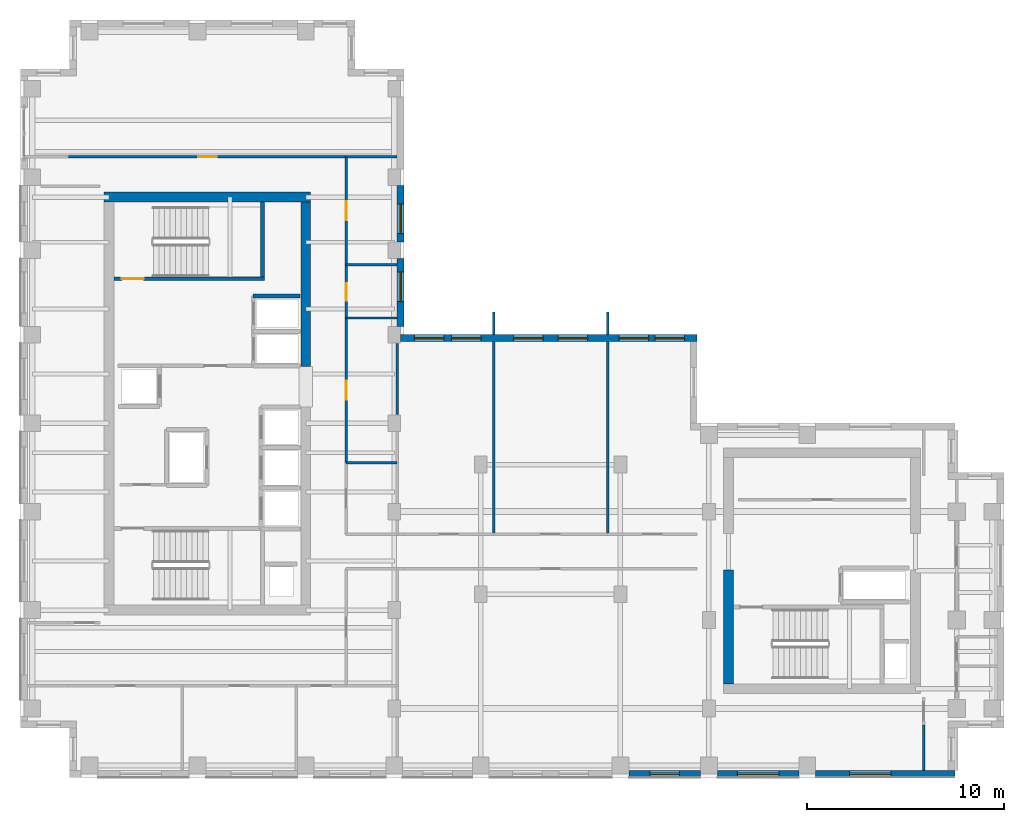
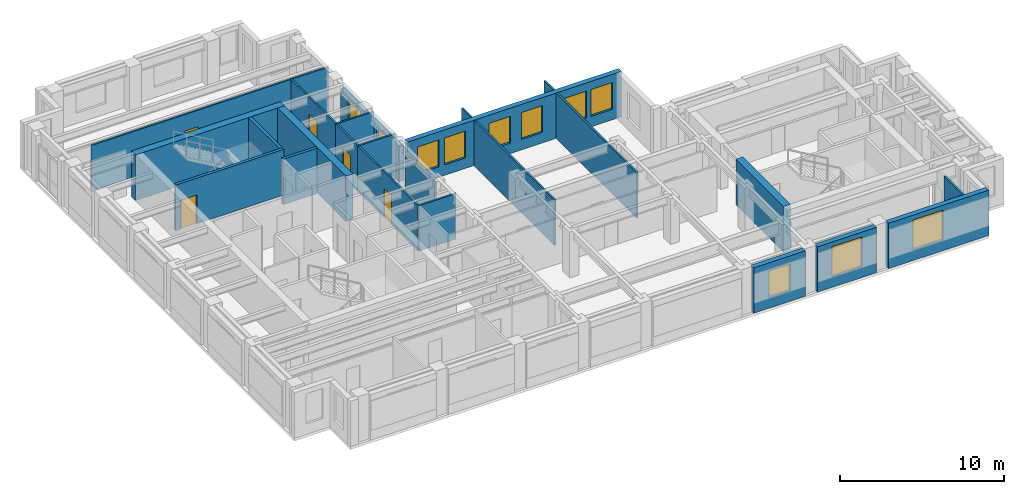
# One storey, part 8 of 12: 26 walls, 11 windows, 5 doors, 16 openings.
"""IFC4 building model written with IfcOpenShell, lengths in metres."""

from ifc_helpers import new_model, si_unit, direction, frame, frame_2d, origin, place, context, subcontext, project, spatial, rectangle, extrude, source, transform, mapped, material, layer, layer_set, type_object, element, fill, save


model = new_model("IFC4")

# Units and contexts
model_context = context("Model", 3, precision=1e-05, world=origin(), true_north=direction((0.0, 1.0)))
body_context = subcontext(model_context, "Body", "Model", "MODEL_VIEW")
ifc_project = project(units=[si_unit("LENGTHUNIT", "METRE"), si_unit("AREAUNIT", "SQUARE_METRE"), si_unit("VOLUMEUNIT", "CUBIC_METRE"), si_unit("PLANEANGLEUNIT", "RADIAN"), si_unit("MASSUNIT", "GRAM", prefix="KILO")], contexts=[model_context])

# Site, building, storey
site_placement = place(None, origin())
site = spatial("IfcSite", under=ifc_project, at=site_placement, CompositionType="ELEMENT")
building_placement = place(site_placement, origin())
building = spatial("IfcBuilding", under=site, at=building_placement, Name="Kharzan Plaza Tower", CompositionType="ELEMENT")
storey_placement = place(building_placement, frame((0.0, 0.0, 255.60009765625)))
storey = spatial("IfcBuildingStorey", under=building, at=storey_placement, Name="L69", CompositionType="ELEMENT", Elevation=255.60009765625)

# Wall, openings, windows
ifc_material_1 = material(Name="Concrete C40/50", Category="concrete")
ifc_layer_1 = layer(ifc_material_1, 0.35009765625)
ifc_layer_set_1 = layer_set([ifc_layer_1], Name="Concrete C40/50")
wall_type_1 = type_object("IfcWallType", Name="WL-EXT-MAS-Z4", PredefinedType="SOLIDWALL", material=ifc_layer_set_1)
wall_1_placement = place(storey_placement, frame((34.39990234375, 22.324951171875, 0.0), z_axis=(0.0, 0.0, 1.0), x_axis=(-1.0, 0.0, 0.0)))
wall_1 = element("IfcWall", 1, at=wall_1_placement, inside=storey, type_object=wall_type_1, Name="L69 Masonry-Frame Exterior Wall 01", PredefinedType="SOLIDWALL", context=body_context, shape_type="SweptSolid", body=[
    extrude(rectangle(XDim=15.076904296875, YDim=0.35009765625, at=frame_2d((7.53857421875, 0.0))), origin(), (0.0, 0.0, 1.0), 3.385009765625),
])
opening_1_placement = place(wall_1_placement, frame((0.646728515625, 0.0, 0.780029296875)))
opening_1 = element("IfcOpeningElement", 2, at=opening_1_placement, cuts=wall_1, Name="Opening W5", PredefinedType="OPENING", context=body_context, shape_type="SweptSolid", body=[
    extrude(rectangle(XDim=1.5, YDim=2.0, at=frame_2d((0.75, 1.0))), frame((0.0, 0.18505859375, 0.0), z_axis=(0.0, -1.0, 0.0), x_axis=(1.0, 0.0, 0.0)), (0.0, 0.0, 1.0), 0.3701171875),
])
opening_2_placement = place(wall_1_placement, frame((2.473388671875, 0.0, 0.780029296875)))
opening_2 = element("IfcOpeningElement", 3, at=opening_2_placement, cuts=wall_1, Name="Opening W5", PredefinedType="OPENING", context=body_context, shape_type="SweptSolid", body=[
    extrude(rectangle(XDim=1.5, YDim=2.0, at=frame_2d((0.75, 1.0))), frame((0.0, 0.18505859375, 0.0), z_axis=(0.0, -1.0, 0.0), x_axis=(1.0, 0.0, 0.0)), (0.0, 0.0, 1.0), 0.3701171875),
])
opening_3_placement = place(wall_1_placement, frame((5.566650390625, 0.0, 0.780029296875)))
opening_3 = element("IfcOpeningElement", 4, at=opening_3_placement, cuts=wall_1, Name="Opening W5", PredefinedType="OPENING", context=body_context, shape_type="SweptSolid", body=[
    extrude(rectangle(XDim=1.5, YDim=2.0, at=frame_2d((0.75, 1.0))), frame((0.0, 0.18505859375, 0.0), z_axis=(0.0, -1.0, 0.0), x_axis=(1.0, 0.0, 0.0)), (0.0, 0.0, 1.0), 0.3701171875),
])
opening_4_placement = place(wall_1_placement, frame((7.833251953125, 0.0, 0.780029296875)))
opening_4 = element("IfcOpeningElement", 5, at=opening_4_placement, cuts=wall_1, Name="Opening W5", PredefinedType="OPENING", context=body_context, shape_type="SweptSolid", body=[
    extrude(rectangle(XDim=1.5, YDim=2.0, at=frame_2d((0.75, 1.0))), frame((0.0, 0.18505859375, 0.0), z_axis=(0.0, -1.0, 0.0), x_axis=(1.0, 0.0, 0.0)), (0.0, 0.0, 1.0), 0.3701171875),
])
opening_5_placement = place(wall_1_placement, frame((10.985595703125, 0.0, 0.780029296875)))
opening_5 = element("IfcOpeningElement", 6, at=opening_5_placement, cuts=wall_1, Name="Opening W5", PredefinedType="OPENING", context=body_context, shape_type="SweptSolid", body=[
    extrude(rectangle(XDim=1.5, YDim=2.0, at=frame_2d((0.75, 1.0))), frame((0.0, 0.18505859375, 0.0), z_axis=(0.0, -1.0, 0.0), x_axis=(1.0, 0.0, 0.0)), (0.0, 0.0, 1.0), 0.3701171875),
])
opening_6_placement = place(wall_1_placement, frame((12.871337890625, 0.0, 0.780029296875)))
opening_6 = element("IfcOpeningElement", 7, at=opening_6_placement, cuts=wall_1, Name="Opening W5", PredefinedType="OPENING", context=body_context, shape_type="SweptSolid", body=[
    extrude(rectangle(XDim=1.5, YDim=2.0, at=frame_2d((0.75, 1.0))), frame((0.0, 0.18505859375, 0.0), z_axis=(0.0, -1.0, 0.0), x_axis=(1.0, 0.0, 0.0)), (0.0, 0.0, 1.0), 0.3701171875),
])
ifc_material_2 = material(Name="Low-E Double Glazing", Category="glass")
window_type_1 = type_object("IfcWindowType", Name="WN-SLT-1500x2000", PartitioningType="SINGLE_PANEL", PredefinedType="WINDOW", material=ifc_material_2)
shared_shape_1 = source(origin(), body_context, "Body", "SweptSolid", [
    extrude(rectangle(XDim=1.5, YDim=2.0, at=frame_2d((0.75, 1.0))), frame((0.0, 0.030029296875, 0.0), z_axis=(0.0, -1.0, 0.0), x_axis=(1.0, 0.0, 0.0)), (0.0, 0.0, 1.0), 0.06005859375),
])
window_1_placement = place(opening_1_placement, origin())
window_1 = element("IfcWindow", 8, at=window_1_placement, inside=storey, type_object=window_type_1, Name="L69 Recessed Solar-Control Window 01-1", OverallHeight=2.0, OverallWidth=1.5, PartitioningType="SINGLE_PANEL", PredefinedType="WINDOW", context=body_context, shape_type="MappedRepresentation", body=[
    mapped(shared_shape_1, transform((0.0, 0.0, 0.0), x_axis=(1.0, 0.0, 0.0), y_axis=(0.0, 1.0, 0.0), z_axis=(0.0, 0.0, 1.0))),
])
fill(opening_1, window_1)
window_2_placement = place(opening_2_placement, origin())
window_2 = element("IfcWindow", 9, at=window_2_placement, inside=storey, type_object=window_type_1, Name="L69 Recessed Solar-Control Window 01-2", OverallHeight=2.0, OverallWidth=1.5, PartitioningType="SINGLE_PANEL", PredefinedType="WINDOW", context=body_context, shape_type="MappedRepresentation", body=[
    mapped(shared_shape_1, transform((0.0, 0.0, 0.0), x_axis=(1.0, 0.0, 0.0), y_axis=(0.0, 1.0, 0.0), z_axis=(0.0, 0.0, 1.0))),
])
fill(opening_2, window_2)
window_3_placement = place(opening_3_placement, origin())
window_3 = element("IfcWindow", 10, at=window_3_placement, inside=storey, type_object=window_type_1, Name="L69 Recessed Solar-Control Window 01-3", OverallHeight=2.0, OverallWidth=1.5, PartitioningType="SINGLE_PANEL", PredefinedType="WINDOW", context=body_context, shape_type="MappedRepresentation", body=[
    mapped(shared_shape_1, transform((0.0, 0.0, 0.0), x_axis=(1.0, 0.0, 0.0), y_axis=(0.0, 1.0, 0.0), z_axis=(0.0, 0.0, 1.0))),
])
fill(opening_3, window_3)
window_4_placement = place(opening_4_placement, origin())
window_4 = element("IfcWindow", 11, at=window_4_placement, inside=storey, type_object=window_type_1, Name="L69 Recessed Solar-Control Window 01-4", OverallHeight=2.0, OverallWidth=1.5, PartitioningType="SINGLE_PANEL", PredefinedType="WINDOW", context=body_context, shape_type="MappedRepresentation", body=[
    mapped(shared_shape_1, transform((0.0, 0.0, 0.0), x_axis=(1.0, 0.0, 0.0), y_axis=(0.0, 1.0, 0.0), z_axis=(0.0, 0.0, 1.0))),
])
fill(opening_4, window_4)
window_5_placement = place(opening_5_placement, origin())
window_5 = element("IfcWindow", 12, at=window_5_placement, inside=storey, type_object=window_type_1, Name="L69 Recessed Solar-Control Window 01-5", OverallHeight=2.0, OverallWidth=1.5, PartitioningType="SINGLE_PANEL", PredefinedType="WINDOW", context=body_context, shape_type="MappedRepresentation", body=[
    mapped(shared_shape_1, transform((0.0, 0.0, 0.0), x_axis=(1.0, 0.0, 0.0), y_axis=(0.0, 1.0, 0.0), z_axis=(0.0, 0.0, 1.0))),
])
fill(opening_5, window_5)
window_6_placement = place(opening_6_placement, origin())
window_6 = element("IfcWindow", 13, at=window_6_placement, inside=storey, type_object=window_type_1, Name="L69 Recessed Solar-Control Window 01-6", OverallHeight=2.0, OverallWidth=1.5, PartitioningType="SINGLE_PANEL", PredefinedType="WINDOW", context=body_context, shape_type="MappedRepresentation", body=[
    mapped(shared_shape_1, transform((0.0, 0.0, 0.0), x_axis=(1.0, 0.0, 0.0), y_axis=(0.0, 1.0, 0.0), z_axis=(0.0, 0.0, 1.0))),
])
fill(opening_6, window_6)

# Wall, opening, window
wall_2_placement = place(storey_placement, frame((19.324951171875, 22.923095703125, 0.0), z_axis=(0.0, 0.0, 1.0), x_axis=(0.0, 1.0, 0.0)))
wall_2 = element("IfcWall", 14, at=wall_2_placement, inside=storey, type_object=wall_type_1, Name="L69 Masonry-Frame Exterior Wall 02", PredefinedType="SOLIDWALL", context=body_context, shape_type="SweptSolid", body=[
    extrude(rectangle(XDim=3.453857421875, YDim=0.35009765625, at=frame_2d((1.72705078125, 0.0))), origin(), (0.0, 0.0, 1.0), 2.618896484375),
])
opening_7_placement = place(wall_2_placement, frame((1.255615234375, 0.0, 0.780029296875)))
opening_7 = element("IfcOpeningElement", 15, at=opening_7_placement, cuts=wall_2, Name="Opening W5", PredefinedType="OPENING", context=body_context, shape_type="SweptSolid", body=[
    extrude(rectangle(XDim=1.5, YDim=1.658935546875, at=frame_2d((0.75, 0.82958984375))), frame((0.0, 0.18505859375, 0.0), z_axis=(0.0, -1.0, 0.0), x_axis=(1.0, 0.0, 0.0)), (0.0, 0.0, 1.0), 0.3701171875),
])
shared_shape_2 = source(origin(), body_context, "Body", "SweptSolid", [
    extrude(rectangle(XDim=1.5, YDim=1.658935546875, at=frame_2d((0.75, 0.82958984375))), frame((0.0, 0.030029296875, 0.0), z_axis=(0.0, -1.0, 0.0), x_axis=(1.0, 0.0, 0.0)), (0.0, 0.0, 1.0), 0.06005859375),
])
window_7_placement = place(opening_7_placement, origin())
window_7 = element("IfcWindow", 16, at=window_7_placement, inside=storey, type_object=window_type_1, Name="L69 Recessed Solar-Control Window 02-1", OverallHeight=1.658935546875, OverallWidth=1.5, PartitioningType="SINGLE_PANEL", PredefinedType="WINDOW", context=body_context, shape_type="MappedRepresentation", body=[
    mapped(shared_shape_2, transform((0.0, 0.0, 0.0), x_axis=(1.0, 0.0, 0.0), y_axis=(0.0, 1.0, 0.0), z_axis=(0.0, 0.0, 1.0))),
])
fill(opening_7, window_7)

wall_3_placement = place(storey_placement, frame((19.324951171875, 27.222900390625, 0.0), z_axis=(0.0, 0.0, 1.0), x_axis=(0.0, 1.0, 0.0)))
wall_3 = element("IfcWall", 17, at=wall_3_placement, inside=storey, type_object=wall_type_1, Name="L69 Masonry-Frame Exterior Wall 03", PredefinedType="SOLIDWALL", context=body_context, shape_type="SweptSolid", body=[
    extrude(rectangle(XDim=2.85400390625, YDim=0.35009765625, at=frame_2d((1.427001953125, 0.0))), origin(), (0.0, 0.0, 1.0), 2.618896484375),
])
opening_8_placement = place(wall_3_placement, frame((0.411376953125, 0.0, 0.780029296875)))
opening_8 = element("IfcOpeningElement", 18, at=opening_8_placement, cuts=wall_3, Name="Opening W5", PredefinedType="OPENING", context=body_context, shape_type="SweptSolid", body=[
    extrude(rectangle(XDim=1.5, YDim=1.658935546875, at=frame_2d((0.75, 0.82958984375))), frame((0.0, 0.18505859375, 0.0), z_axis=(0.0, -1.0, 0.0), x_axis=(1.0, 0.0, 0.0)), (0.0, 0.0, 1.0), 0.3701171875),
])
window_8_placement = place(opening_8_placement, origin())
window_8 = element("IfcWindow", 19, at=window_8_placement, inside=storey, type_object=window_type_1, Name="L69 Recessed Solar-Control Window 03-1", OverallHeight=1.658935546875, OverallWidth=1.5, PartitioningType="SINGLE_PANEL", PredefinedType="WINDOW", context=body_context, shape_type="MappedRepresentation", body=[
    mapped(shared_shape_2, transform((0.0, 0.0, 0.0), x_axis=(1.0, 0.0, 0.0), y_axis=(0.0, 1.0, 0.0), z_axis=(0.0, 0.0, 1.0))),
])
fill(opening_8, window_8)

wall_4_placement = place(storey_placement, frame((30.923095703125, 0.175048828125, 0.0), z_axis=(0.0, 0.0, 1.0), x_axis=(1.0, 0.0, 0.0)))
wall_4 = element("IfcWall", 20, at=wall_4_placement, inside=storey, type_object=wall_type_1, Name="L69 Masonry-Frame Exterior Wall 32", PredefinedType="SOLIDWALL", context=body_context, shape_type="SweptSolid", body=[
    extrude(rectangle(XDim=3.65380859375, YDim=0.35009765625, at=frame_2d((1.826904296875, 0.0))), origin(), (0.0, 0.0, 1.0), 3.385009765625),
])
opening_9_placement = place(wall_4_placement, frame((1.076904296875, 0.0, 0.780029296875)))
opening_9 = element("IfcOpeningElement", 21, at=opening_9_placement, cuts=wall_4, Name="Opening W5", PredefinedType="OPENING", context=body_context, shape_type="SweptSolid", body=[
    extrude(rectangle(XDim=1.5, YDim=2.0, at=frame_2d((0.75, 1.0))), frame((0.0, 0.18505859375, 0.0), z_axis=(0.0, -1.0, 0.0), x_axis=(1.0, 0.0, 0.0)), (0.0, 0.0, 1.0), 0.3701171875),
])
window_9_placement = place(opening_9_placement, origin())
window_9 = element("IfcWindow", 22, at=window_9_placement, inside=storey, type_object=window_type_1, Name="L69 Recessed Solar-Control Window 32-1", OverallHeight=2.0, OverallWidth=1.5, PartitioningType="SINGLE_PANEL", PredefinedType="WINDOW", context=body_context, shape_type="MappedRepresentation", body=[
    mapped(shared_shape_1, transform((0.0, 0.0, 0.0), x_axis=(1.0, 0.0, 0.0), y_axis=(0.0, 1.0, 0.0), z_axis=(0.0, 0.0, 1.0))),
])
fill(opening_9, window_9)

wall_5_placement = place(storey_placement, frame((35.423095703125, 0.175048828125, 0.0), z_axis=(0.0, 0.0, 1.0), x_axis=(1.0, 0.0, 0.0)))
wall_5 = element("IfcWall", 23, at=wall_5_placement, inside=storey, type_object=wall_type_1, Name="L69 Masonry-Frame Exterior Wall 33", PredefinedType="SOLIDWALL", context=body_context, shape_type="SweptSolid", body=[
    extrude(rectangle(XDim=4.15380859375, YDim=0.35009765625, at=frame_2d((2.076904296875, 0.0))), origin(), (0.0, 0.0, 1.0), 3.385009765625),
])
opening_10_placement = place(wall_5_placement, frame((1.027099609375, 0.0, 0.780029296875)))
opening_10 = element("IfcOpeningElement", 24, at=opening_10_placement, cuts=wall_5, Name="Opening W6", PredefinedType="OPENING", context=body_context, shape_type="SweptSolid", body=[
    extrude(rectangle(XDim=2.10009765625, YDim=2.25, at=frame_2d((1.050048828125, 1.125))), frame((0.0, 0.18505859375, 0.0), z_axis=(0.0, -1.0, 0.0), x_axis=(1.0, 0.0, 0.0)), (0.0, 0.0, 1.0), 0.3701171875),
])
window_type_2 = type_object("IfcWindowType", Name="WN-EXEC-2100x2250", PartitioningType="SINGLE_PANEL", PredefinedType="WINDOW", material=ifc_material_2)
shared_shape_3 = source(origin(), body_context, "Body", "SweptSolid", [
    extrude(rectangle(XDim=2.10009765625, YDim=2.25, at=frame_2d((1.050048828125, 1.125))), frame((0.0, 0.030029296875, 0.0), z_axis=(0.0, -1.0, 0.0), x_axis=(1.0, 0.0, 0.0)), (0.0, 0.0, 1.0), 0.06005859375),
])
window_10_placement = place(opening_10_placement, origin())
window_10 = element("IfcWindow", 25, at=window_10_placement, inside=storey, type_object=window_type_2, Name="L69 Recessed Solar-Control Window 33-1", OverallHeight=2.25, OverallWidth=2.10009765625, PartitioningType="SINGLE_PANEL", PredefinedType="WINDOW", context=body_context, shape_type="MappedRepresentation", body=[
    mapped(shared_shape_3, transform((0.0, 0.0, 0.0), x_axis=(1.0, 0.0, 0.0), y_axis=(0.0, 1.0, 0.0), z_axis=(0.0, 0.0, 1.0))),
])
fill(opening_10, window_10)

wall_6_placement = place(storey_placement, frame((40.423095703125, 0.175048828125, 0.0), z_axis=(0.0, 0.0, 1.0), x_axis=(1.0, 0.0, 0.0)))
wall_6 = element("IfcWall", 26, at=wall_6_placement, inside=storey, type_object=wall_type_1, Name="L69 Masonry-Frame Exterior Wall 34", PredefinedType="SOLIDWALL", context=body_context, shape_type="SweptSolid", body=[
    extrude(rectangle(XDim=7.076904296875, YDim=0.35009765625, at=frame_2d((3.53857421875, 0.0))), origin(), (0.0, 0.0, 1.0), 3.385009765625),
])
opening_11_placement = place(wall_6_placement, frame((1.7333984375, 0.0, 0.780029296875)))
opening_11 = element("IfcOpeningElement", 27, at=opening_11_placement, cuts=wall_6, Name="Opening W6", PredefinedType="OPENING", context=body_context, shape_type="SweptSolid", body=[
    extrude(rectangle(XDim=2.10009765625, YDim=2.25, at=frame_2d((1.050048828125, 1.125))), frame((0.0, 0.18505859375, 0.0), z_axis=(0.0, -1.0, 0.0), x_axis=(1.0, 0.0, 0.0)), (0.0, 0.0, 1.0), 0.3701171875),
])
window_11_placement = place(opening_11_placement, origin())
window_11 = element("IfcWindow", 28, at=window_11_placement, inside=storey, type_object=window_type_2, Name="L69 Recessed Solar-Control Window 34-1", OverallHeight=2.25, OverallWidth=2.10009765625, PartitioningType="SINGLE_PANEL", PredefinedType="WINDOW", context=body_context, shape_type="MappedRepresentation", body=[
    mapped(shared_shape_3, transform((0.0, 0.0, 0.0), x_axis=(1.0, 0.0, 0.0), y_axis=(0.0, 1.0, 0.0), z_axis=(0.0, 0.0, 1.0))),
])
fill(opening_11, window_11)

# Wall, opening, door
ifc_material_3 = material(Name="Fire-Rated Gypsum Board Partition", Category="gypsum")
ifc_layer_2 = layer(ifc_material_3, 0.125)
ifc_layer_set_2 = layer_set([ifc_layer_2], Name="Fire-Rated Gypsum Board Partition")
wall_type_2 = type_object("IfcWallType", Name="WL-INT-PART-125", PredefinedType="PARTITIONING", material=ifc_layer_set_2)
wall_7_placement = place(storey_placement, frame((16.550048828125, 16.0, 0.0), z_axis=(0.0, 0.0, 1.0), x_axis=(0.0, 1.0, 0.0)))
wall_7 = element("IfcWall", 29, at=wall_7_placement, inside=storey, type_object=wall_type_2, Name="L69 Interior Partition SH-AEWN2", PredefinedType="PARTITIONING", context=body_context, shape_type="SweptSolid", body=[
    extrude(rectangle(XDim=7.35009765625, YDim=0.125, at=frame_2d((3.675048828125, 0.0))), origin(), (0.0, 0.0, 1.0), 3.385009765625),
])
opening_12_placement = place(wall_7_placement, frame((3.199951171875, 0.0, 0.0)))
opening_12 = element("IfcOpeningElement", 30, at=opening_12_placement, cuts=wall_7, Name="Opening OD1", PredefinedType="OPENING", context=body_context, shape_type="SweptSolid", body=[
    extrude(rectangle(XDim=0.949951171875, YDim=2.14990234375, at=frame_2d((0.47509765625, 1.074951171875))), frame((0.0, 0.072509765625, 0.0), z_axis=(0.0, -1.0, 0.0), x_axis=(1.0, 0.0, 0.0)), (0.0, 0.0, 1.0), 0.14501953125),
])
ifc_material_4 = material(Name="Acoustic Solid-Core Stained Oak", Category="timber")
door_type_1 = type_object("IfcDoorType", Name="DR-OFF-SINGLE", OperationType="NOTDEFINED", PredefinedType="DOOR", material=ifc_material_4)
shared_shape_4 = source(origin(), body_context, "Body", "SweptSolid", [
    extrude(rectangle(XDim=0.949951171875, YDim=2.14990234375, at=frame_2d((0.47509765625, 1.074951171875))), frame((0.0, 0.02490234375, 0.0), z_axis=(0.0, -1.0, 0.0), x_axis=(1.0, 0.0, 0.0)), (0.0, 0.0, 1.0), 0.050048828125),
])
door_1_placement = place(opening_12_placement, origin())
door_1 = element("IfcDoor", 31, at=door_1_placement, inside=storey, type_object=door_type_1, Name="L69 Slot Studio Door", OperationType="SINGLE_SWING_LEFT", OverallHeight=2.14990234375, OverallWidth=0.949951171875, PredefinedType="DOOR", context=body_context, shape_type="MappedRepresentation", body=[
    mapped(shared_shape_4, transform((0.0, 0.0, 0.0), x_axis=(1.0, 0.0, 0.0), y_axis=(0.0, 1.0, 0.0), z_axis=(0.0, 0.0, 1.0))),
])
fill(opening_12, door_1)

wall_8_placement = place(storey_placement, frame((16.550048828125, 26.050048828125, 0.0), z_axis=(0.0, 0.0, 1.0), x_axis=(0.0, 1.0, 0.0)))
wall_8 = element("IfcWall", 32, at=wall_8_placement, inside=storey, type_object=wall_type_2, Name="L69 Interior Partition SH-AEWN3", PredefinedType="PARTITIONING", context=body_context, shape_type="SweptSolid", body=[
    extrude(rectangle(XDim=5.5, YDim=0.125, at=frame_2d((2.75, 0.0))), origin(), (0.0, 0.0, 1.0), 3.385009765625),
])
opening_13_placement = place(wall_8_placement, frame((2.27490234375, 0.0, 0.0)))
opening_13 = element("IfcOpeningElement", 33, at=opening_13_placement, cuts=wall_8, Name="Opening OD1", PredefinedType="OPENING", context=body_context, shape_type="SweptSolid", body=[
    extrude(rectangle(XDim=0.949951171875, YDim=2.14990234375, at=frame_2d((0.47509765625, 1.074951171875))), frame((0.0, 0.072509765625, 0.0), z_axis=(0.0, -1.0, 0.0), x_axis=(1.0, 0.0, 0.0)), (0.0, 0.0, 1.0), 0.14501953125),
])
door_2_placement = place(opening_13_placement, origin())
door_2 = element("IfcDoor", 34, at=door_2_placement, inside=storey, type_object=door_type_1, Name="L69 Staff Tea Point Door", OperationType="SINGLE_SWING_LEFT", OverallHeight=2.14990234375, OverallWidth=0.949951171875, PredefinedType="DOOR", context=body_context, shape_type="MappedRepresentation", body=[
    mapped(shared_shape_4, transform((0.0, 0.0, 0.0), x_axis=(1.0, 0.0, 0.0), y_axis=(0.0, 1.0, 0.0), z_axis=(0.0, 0.0, 1.0))),
])
fill(opening_13, door_2)

wall_9_placement = place(storey_placement, frame((16.550048828125, 23.35009765625, 0.0), z_axis=(0.0, 0.0, 1.0), x_axis=(0.0, 1.0, 0.0)))
wall_9 = element("IfcWall", 35, at=wall_9_placement, inside=storey, type_object=wall_type_2, Name="L69 Interior Partition SH-AEWW", PredefinedType="PARTITIONING", context=body_context, shape_type="SweptSolid", body=[
    extrude(rectangle(XDim=2.699951171875, YDim=0.125, at=frame_2d((1.35009765625, 0.0))), origin(), (0.0, 0.0, 1.0), 3.385009765625),
])
opening_14_placement = place(wall_9_placement, frame((0.875, 0.0, 0.0)))
opening_14 = element("IfcOpeningElement", 36, at=opening_14_placement, cuts=wall_9, Name="Opening WD1", PredefinedType="OPENING", context=body_context, shape_type="SweptSolid", body=[
    extrude(rectangle(XDim=0.89990234375, YDim=2.14990234375, at=frame_2d((0.449951171875, 1.074951171875))), frame((0.0, 0.072509765625, 0.0), z_axis=(0.0, -1.0, 0.0), x_axis=(1.0, 0.0, 0.0)), (0.0, 0.0, 1.0), 0.14501953125),
])
ifc_material_5 = material(Name="Moisture-Resistant Fire-Rated Laminate", Category="timber")
door_type_2 = type_object("IfcDoorType", Name="DR-WC-900", OperationType="NOTDEFINED", PredefinedType="DOOR", material=ifc_material_5)
shared_shape_5 = source(origin(), body_context, "Body", "SweptSolid", [
    extrude(rectangle(XDim=0.89990234375, YDim=2.14990234375, at=frame_2d((0.449951171875, 1.074951171875))), frame((0.0, 0.02490234375, 0.0), z_axis=(0.0, -1.0, 0.0), x_axis=(1.0, 0.0, 0.0)), (0.0, 0.0, 1.0), 0.050048828125),
])
door_3_placement = place(opening_14_placement, origin())
door_3 = element("IfcDoor", 37, at=door_3_placement, inside=storey, type_object=door_type_2, Name="L69 Wing A Washroom Door", OperationType="SINGLE_SWING_RIGHT", OverallHeight=2.14990234375, OverallWidth=0.89990234375, PredefinedType="DOOR", context=body_context, shape_type="MappedRepresentation", body=[
    mapped(shared_shape_5, transform((0.0, 0.0, 0.0), x_axis=(1.0, 0.0, 0.0), y_axis=(0.0, 1.0, 0.0), z_axis=(0.0, 0.0, 1.0))),
])
fill(opening_14, door_3)

wall_10_placement = place(storey_placement, frame((2.449951171875, 31.550048828125, 0.0), z_axis=(0.0, 0.0, 1.0), x_axis=(1.0, 0.0, 0.0)))
wall_10 = element("IfcWall", 38, at=wall_10_placement, inside=storey, type_object=wall_type_2, Name="L69 Interior Partition SH-NN-1", PredefinedType="PARTITIONING", context=body_context, shape_type="SweptSolid", body=[
    extrude(rectangle(XDim=14.10009765625, YDim=0.125, at=frame_2d((7.050048828125, 0.0))), origin(), (0.0, 0.0, 1.0), 3.385009765625),
])
opening_15_placement = place(wall_10_placement, frame((6.574951171875, 0.0, 0.0)))
opening_15 = element("IfcOpeningElement", 39, at=opening_15_placement, cuts=wall_10, Name="Opening OD1", PredefinedType="OPENING", context=body_context, shape_type="SweptSolid", body=[
    extrude(rectangle(XDim=0.949951171875, YDim=2.14990234375, at=frame_2d((0.47509765625, 1.074951171875))), frame((0.0, 0.072509765625, 0.0), z_axis=(0.0, -1.0, 0.0), x_axis=(1.0, 0.0, 0.0)), (0.0, 0.0, 1.0), 0.14501953125),
])
door_4_placement = place(opening_15_placement, origin())
door_4 = element("IfcDoor", 40, at=door_4_placement, inside=storey, type_object=door_type_1, Name="L69 Staff Tea Pantry Door", OperationType="SINGLE_SWING_RIGHT", OverallHeight=2.14990234375, OverallWidth=0.949951171875, PredefinedType="DOOR", context=body_context, shape_type="MappedRepresentation", body=[
    mapped(shared_shape_4, transform((0.0, 0.0, 0.0), x_axis=(1.0, 0.0, 0.0), y_axis=(0.0, 1.0, 0.0), z_axis=(0.0, 0.0, 1.0))),
])
fill(opening_15, door_4)

ifc_material_6 = material(Name="Concrete C50/60", Category="concrete")
ifc_layer_3 = layer(ifc_material_6, 0.199951171875)
ifc_layer_set_3 = layer_set([ifc_layer_3], Name="Concrete C50/60")
wall_type_3 = type_object("IfcWallType", Name="WL-SHAFT-RC200", PredefinedType="SHEAR", material=ifc_layer_set_3)
wall_11_placement = place(storey_placement, frame((4.751953125, 25.344970703125, 0.0), z_axis=(0.0, 0.0, 1.0), x_axis=(1.0, 0.0, 0.0)))
wall_11 = element("IfcWall", 41, at=wall_11_placement, inside=storey, type_object=wall_type_3, Name="L69 Stair ST-2 South RC Shaft Wall", PredefinedType="SHEAR", context=body_context, shape_type="SweptSolid", body=[
    extrude(rectangle(XDim=7.653076171875, YDim=0.199951171875, at=frame_2d((3.82666015625, 0.0))), origin(), (0.0, 0.0, 1.0), 3.39990234375),
])
opening_16_placement = place(wall_11_placement, frame((0.39990234375, 0.0, 0.0)))
opening_16 = element("IfcOpeningElement", 42, at=opening_16_placement, cuts=wall_11, Name="Opening SD1", PredefinedType="OPENING", context=body_context, shape_type="SweptSolid", body=[
    extrude(rectangle(XDim=1.10009765625, YDim=2.14990234375, at=frame_2d((0.550048828125, 1.074951171875))), frame((0.0, 0.10986328125, 0.0), z_axis=(0.0, -1.0, 0.0), x_axis=(1.0, 0.0, 0.0)), (0.0, 0.0, 1.0), 0.219970703125),
])
ifc_material_7 = material(Name="Fire-Rated Hollow Galvanized Steel", Category="steel")
door_type_3 = type_object("IfcDoorType", Name="DR-STAIR-FD120", OperationType="NOTDEFINED", PredefinedType="DOOR", material=ifc_material_7)
shared_shape_6 = source(origin(), body_context, "Body", "SweptSolid", [
    extrude(rectangle(XDim=1.10009765625, YDim=2.14990234375, at=frame_2d((0.550048828125, 1.074951171875))), frame((0.0, 0.02490234375, 0.0), z_axis=(0.0, -1.0, 0.0), x_axis=(1.0, 0.0, 0.0)), (0.0, 0.0, 1.0), 0.050048828125),
])
door_5_placement = place(opening_16_placement, origin())
door_5 = element("IfcDoor", 43, at=door_5_placement, inside=storey, type_object=door_type_3, Name="L69 Stair ST-2 Fire Exit Door", OperationType="SINGLE_SWING_LEFT", OverallHeight=2.14990234375, OverallWidth=1.10009765625, PredefinedType="DOOR", context=body_context, shape_type="MappedRepresentation", body=[
    mapped(shared_shape_6, transform((0.0, 0.0, 0.0), x_axis=(1.0, 0.0, 0.0), y_axis=(0.0, 1.0, 0.0), z_axis=(0.0, 0.0, 1.0))),
])
fill(opening_16, door_5)

# Walls
shared_shape_7 = source(origin(), body_context, "Body", "SweptSolid", [
    extrude(rectangle(XDim=2.2978515625, YDim=0.125, at=frame_2d((1.14892578125, 0.0))), origin(), (0.0, 0.0, 1.0), 3.385009765625),
])
wall_12_placement = place(storey_placement, frame((45.919921875, 0.35205078125, 0.0), z_axis=(0.0, 0.0, 1.0), x_axis=(0.0, 1.0, 0.0)))
element("IfcWall", 44, at=wall_12_placement, inside=storey, type_object=wall_type_2, Name="L69 Interior Partition SH-RBSE0", PredefinedType="PARTITIONING", context=body_context, shape_type="MappedRepresentation", body=[
    mapped(shared_shape_7, transform((0.0, 0.0, 0.0), x_axis=(1.0, 0.0, 0.0), y_axis=(0.0, 1.0, 0.0), z_axis=(0.0, 0.0, 1.0))),
])
shared_shape_8 = source(origin(), body_context, "Body", "SweptSolid", [
    extrude(rectangle(XDim=2.597900390625, YDim=0.125, at=frame_2d((1.298828125, 0.0))), origin(), (0.0, 0.0, 1.0), 3.385009765625),
])
for number, where, z_axis, x_axis, name in (
    (45, (16.550048828125, 23.35009765625, 0.0), (0.0, 0.0, 1.0), (1.0, 0.0, 0.0), "L69 Interior Partition SH-AEH-233"),
    (46, (16.550048828125, 26.050048828125, 0.0), (0.0, 0.0, 1.0), (1.0, 0.0, 0.0), "L69 Interior Partition SH-AEH-260"),
    (47, (16.550048828125, 31.550048828125, 0.0), (0.0, 0.0, 1.0), (1.0, 0.0, 0.0), "L69 Interior Partition SH-NNE0"),
):
    element("IfcWall", number, at=place(storey_placement, frame(where, z_axis=z_axis, x_axis=x_axis)), inside=storey, type_object=wall_type_2, Name=name, PredefinedType="PARTITIONING", context=body_context, shape_type="MappedRepresentation", body=[
        mapped(shared_shape_8, transform((0.0, 0.0, 0.0), x_axis=(1.0, 0.0, 0.0), y_axis=(0.0, 1.0, 0.0), z_axis=(0.0, 0.0, 1.0))),
    ])
shared_shape_9 = source(origin(), body_context, "Body", "SweptSolid", [
    extrude(rectangle(XDim=2.599853515625, YDim=0.125, at=frame_2d((1.2998046875, 0.0))), origin(), (0.0, 0.0, 1.0), 3.385009765625),
])
wall_13_placement = place(storey_placement, frame((16.550048828125, 16.0, 0.0), z_axis=(0.0, 0.0, 1.0), x_axis=(1.0, 0.0, 0.0)))
element("IfcWall", 48, at=wall_13_placement, inside=storey, type_object=wall_type_2, Name="L69 Interior Partition SH-AEH-160", PredefinedType="PARTITIONING", context=body_context, shape_type="MappedRepresentation", body=[
    mapped(shared_shape_9, transform((0.0, 0.0, 0.0), x_axis=(1.0, 0.0, 0.0), y_axis=(0.0, 1.0, 0.0), z_axis=(0.0, 0.0, 1.0))),
])
ifc_layer_4 = layer(ifc_material_1, 0.199951171875)
ifc_layer_set_4 = layer_set([ifc_layer_4], Name="Concrete C40/50")
wall_type_4 = type_object("IfcWallType", Name="WL-INT-SHAFT-200", PredefinedType="PARTITIONING", material=ifc_layer_set_4)
shared_shape_10 = source(origin(), body_context, "Body", "SweptSolid", [
    extrude(rectangle(XDim=2.389892578125, YDim=0.199951171875, at=frame_2d((1.19482421875, 0.0))), origin(), (0.0, 0.0, 1.0), 3.385009765625),
])
wall_14_placement = place(storey_placement, frame((11.830078125, 24.4599609375, 0.0), z_axis=(0.0, 0.0, 1.0), x_axis=(1.0, 0.0, 0.0)))
element("IfcWall", 49, at=wall_14_placement, inside=storey, type_object=wall_type_4, Name="L69 Interior Partition SHF-FFL-2-N", PredefinedType="PARTITIONING", context=body_context, shape_type="MappedRepresentation", body=[
    mapped(shared_shape_10, transform((0.0, 0.0, 0.0), x_axis=(1.0, 0.0, 0.0), y_axis=(0.0, 1.0, 0.0), z_axis=(0.0, 0.0, 1.0))),
])
ifc_layer_5 = layer(ifc_material_6, 0.5)
ifc_layer_set_5 = layer_set([ifc_layer_5], Name="Concrete C50/60")
wall_type_5 = type_object("IfcWallType", Name="WL-CORE-500", PredefinedType="SHEAR", material=ifc_layer_set_5)
shared_shape_11 = source(origin(), body_context, "Body", "SweptSolid", [
    extrude(rectangle(XDim=8.3701171875, YDim=0.5, at=frame_2d((4.18505859375, 0.0))), origin(), (0.0, 0.0, 1.0), 3.39990234375),
])
wall_15_placement = place(storey_placement, frame((14.5, 20.8798828125, 0.0), z_axis=(0.0, 0.0, 1.0), x_axis=(0.0, 1.0, 0.0)))
element("IfcWall", 50, at=wall_15_placement, inside=storey, type_object=wall_type_5, Name="L69 CORE-A east shear pier 2", PredefinedType="SHEAR", context=body_context, shape_type="MappedRepresentation", body=[
    mapped(shared_shape_11, transform((0.0, 0.0, 0.0), x_axis=(1.0, 0.0, 0.0), y_axis=(0.0, 1.0, 0.0), z_axis=(0.0, 0.0, 1.0))),
])
shared_shape_12 = source(origin(), body_context, "Body", "SweptSolid", [
    extrude(rectangle(XDim=10.5, YDim=0.5, at=frame_2d((5.25, 0.0))), origin(), (0.0, 0.0, 1.0), 3.39990234375),
])
wall_16_placement = place(storey_placement, frame((4.25, 29.5, 0.0), z_axis=(0.0, 0.0, 1.0), x_axis=(1.0, 0.0, 0.0)))
element("IfcWall", 51, at=wall_16_placement, inside=storey, type_object=wall_type_5, Name="L69 CORE-A north RC shear wall", PredefinedType="SHEAR", context=body_context, shape_type="MappedRepresentation", body=[
    mapped(shared_shape_12, transform((0.0, 0.0, 0.0), x_axis=(1.0, 0.0, 0.0), y_axis=(0.0, 1.0, 0.0), z_axis=(0.0, 0.0, 1.0))),
])
shared_shape_13 = source(origin(), body_context, "Body", "SweptSolid", [
    extrude(rectangle(XDim=5.800048828125, YDim=0.5, at=frame_2d((2.89990234375, 0.0))), origin(), (0.0, 0.0, 1.0), 3.39990234375),
])
wall_17_placement = place(storey_placement, frame((36.0, 4.75, 0.0), z_axis=(0.0, 0.0, 1.0), x_axis=(0.0, 1.0, 0.0)))
element("IfcWall", 52, at=wall_17_placement, inside=storey, type_object=wall_type_5, Name="L69 CORE-B west shear pier 1", PredefinedType="SHEAR", context=body_context, shape_type="MappedRepresentation", body=[
    mapped(shared_shape_13, transform((0.0, 0.0, 0.0), x_axis=(1.0, 0.0, 0.0), y_axis=(0.0, 1.0, 0.0), z_axis=(0.0, 0.0, 1.0))),
])
shared_shape_14 = source(origin(), body_context, "Body", "SweptSolid", [
    extrude(rectangle(XDim=3.60009765625, YDim=0.125, at=frame_2d((1.800048828125, 0.0))), origin(), (0.0, 0.0, 1.0), 2.77294921875),
])
wall_18_placement = place(storey_placement, frame((19.14990234375, 18.449951171875, 0.0), z_axis=(0.0, 0.0, 1.0), x_axis=(0.0, 1.0, 0.0)))
element("IfcWall", 53, at=wall_18_placement, inside=storey, type_object=wall_type_2, Name="L69 Interior Partition SH-AEN-DIV-S3", PredefinedType="PARTITIONING", context=body_context, shape_type="MappedRepresentation", body=[
    mapped(shared_shape_14, transform((0.0, 0.0, 0.0), x_axis=(1.0, 0.0, 0.0), y_axis=(0.0, 1.0, 0.0), z_axis=(0.0, 0.0, 1.0))),
])
shared_shape_15 = source(origin(), body_context, "Body", "SweptSolid", [
    extrude(rectangle(XDim=3.802978515625, YDim=0.199951171875, at=frame_2d((1.9013671875, 0.0))), origin(), (0.0, 0.0, 1.0), 3.39990234375),
])
wall_19_placement = place(storey_placement, frame((12.304931640625, 25.445068359375, 0.0), z_axis=(0.0, 0.0, 1.0), x_axis=(0.0, 1.0, 0.0)))
element("IfcWall", 54, at=wall_19_placement, inside=storey, type_object=wall_type_3, Name="L69 Stair ST-2 East RC Shaft Wall", PredefinedType="SHEAR", context=body_context, shape_type="MappedRepresentation", body=[
    mapped(shared_shape_15, transform((0.0, 0.0, 0.0), x_axis=(1.0, 0.0, 0.0), y_axis=(0.0, 1.0, 0.0), z_axis=(0.0, 0.0, 1.0))),
])
shared_shape_16 = source(origin(), body_context, "Body", "SweptSolid", [
    extrude(rectangle(XDim=9.7978515625, YDim=0.125, at=frame_2d((4.89892578125, 0.0))), origin(), (0.0, 0.0, 1.0), 3.385009765625),
])
for number, where, z_axis, x_axis, name in (
    (55, (24.050048828125, 12.35009765625, 0.0), (0.0, 0.0, 1.0), (0.0, 1.0, 0.0), "L69 Interior Partition SH-SPML-S1"),
    (56, (29.85009765625, 12.35009765625, 0.0), (0.0, 0.0, 1.0), (0.0, 1.0, 0.0), "L69 Interior Partition SH-SPMR-S1"),
):
    element("IfcWall", number, at=place(storey_placement, frame(where, z_axis=z_axis, x_axis=x_axis)), inside=storey, type_object=wall_type_2, Name=name, PredefinedType="PARTITIONING", context=body_context, shape_type="MappedRepresentation", body=[
        mapped(shared_shape_16, transform((0.0, 0.0, 0.0), x_axis=(1.0, 0.0, 0.0), y_axis=(0.0, 1.0, 0.0), z_axis=(0.0, 0.0, 1.0))),
    ])
shared_shape_17 = source(origin(), body_context, "Body", "SweptSolid", [
    extrude(rectangle(XDim=1.14794921875, YDim=0.125, at=frame_2d((0.573974609375, 0.0))), origin(), (0.0, 0.0, 1.0), 3.385009765625),
])
for number, where, z_axis, x_axis, name in (
    (57, (24.050048828125, 22.501953125, 0.0), (0.0, 0.0, 1.0), (0.0, 1.0, 0.0), "L69 Interior Partition SH-SPML-S2"),
    (58, (29.85009765625, 22.501953125, 0.0), (0.0, 0.0, 1.0), (0.0, 1.0, 0.0), "L69 Interior Partition SH-SPMR-S2"),
):
    element("IfcWall", number, at=place(storey_placement, frame(where, z_axis=z_axis, x_axis=x_axis)), inside=storey, type_object=wall_type_2, Name=name, PredefinedType="PARTITIONING", context=body_context, shape_type="MappedRepresentation", body=[
        mapped(shared_shape_17, transform((0.0, 0.0, 0.0), x_axis=(1.0, 0.0, 0.0), y_axis=(0.0, 1.0, 0.0), z_axis=(0.0, 0.0, 1.0))),
    ])

save(model, "model.ifc")
